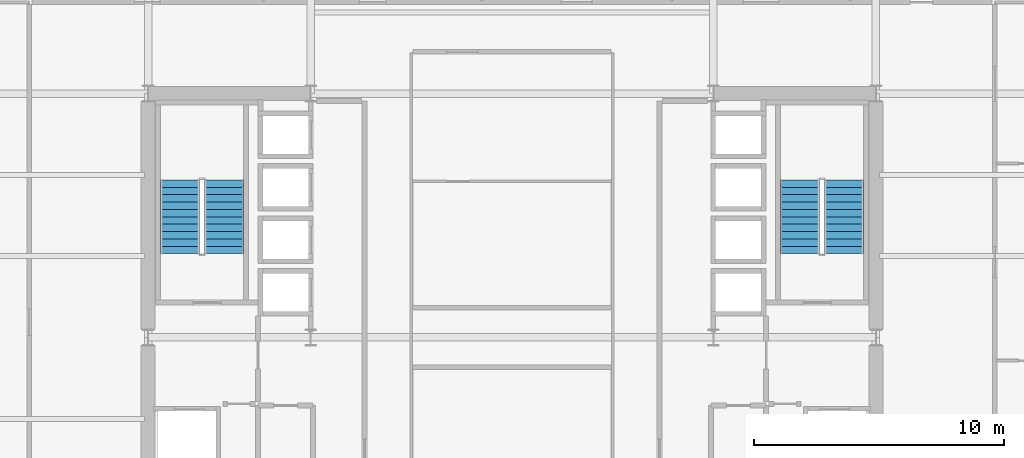
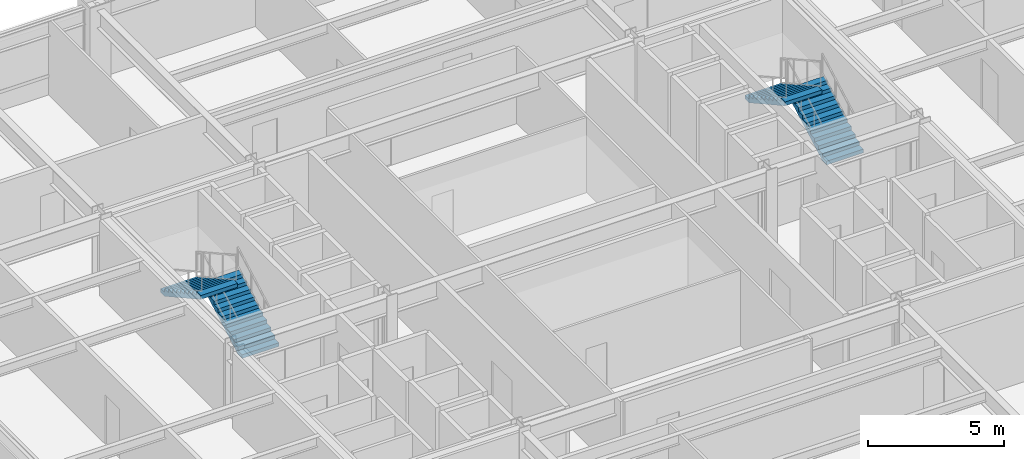
# One storey, part 26 of 28: 4 stair flights, 2 elements without a shape of their own.
"""IFC4 building model written with IfcOpenShell, lengths in metres."""

from ifc_helpers import new_model, si_unit, direction, frame, origin, place, context, subcontext, project, spatial, polyline, outline, extrude, material, type_object, element, aggregate, save


model = new_model("IFC4")

# Units and contexts
model_context = context("Model", 3, precision=1e-05, world=origin(), true_north=direction((0.0, 1.0)))
body_context = subcontext(model_context, "Body", "Model", "MODEL_VIEW")
ifc_project = project(units=[si_unit("LENGTHUNIT", "METRE"), si_unit("AREAUNIT", "SQUARE_METRE"), si_unit("VOLUMEUNIT", "CUBIC_METRE"), si_unit("PLANEANGLEUNIT", "RADIAN"), si_unit("MASSUNIT", "GRAM", prefix="KILO")], contexts=[model_context])

# Site, building, storey
site_placement = place(None, origin())
site = spatial("IfcSite", under=ifc_project, at=site_placement, CompositionType="ELEMENT")
building_placement = place(site_placement, origin())
building = spatial("IfcBuilding", under=site, at=building_placement, Name="Brelmoor Portico Tower", CompositionType="ELEMENT")
storey_placement = place(building_placement, frame((0.0, 0.0, 70.800048828125)))
storey = spatial("IfcBuildingStorey", under=building, at=storey_placement, Name="L18", CompositionType="ELEMENT", Elevation=70.800048828125)

# Stair, stair flights
ifc_material = material(Name="Concrete C40", Category="concrete")
stair_type_1 = type_object("IfcStairType", Name="ST-CORE-W", PredefinedType="HALF_TURN_STAIR", material=ifc_material)
stair_1_placement = place(storey_placement, origin())
stair_1 = element("IfcStair", 1, at=stair_1_placement, inside=storey, type_object=stair_type_1, Name="L18 Protected Core Exit Stair ST-W", PredefinedType="HALF_TURN_STAIR")
stair_flight_type = type_object("IfcStairFlightType", Name="SF-CORE-1850", PredefinedType="STRAIGHT", material=ifc_material)
stair_flight_1_placement = place(storey_placement, frame((-11.510009765625, 3.35009765625, 0.0), z_axis=(0.0, 0.0, 1.0), x_axis=(0.0, 1.0, 0.0)))
stair_flight_1 = element("IfcStairFlight", 2, at=stair_flight_1_placement, type_object=stair_flight_type, Name="ST-W flight 1", NumberOfRisers=11, NumberOfTreads=10, PredefinedType="STRAIGHT", RiserHeight=0.163636364, TreadLength=0.295, context=body_context, shape_type="SweptSolid", body=[
    extrude(outline(polyline([(0.0, 0.0), (0.0, 0.16357421875), (0.294921875, 0.16357421875), (0.294921875, 0.327392578125), (0.590087890625, 0.327392578125), (0.590087890625, 0.490966796875), (0.885009765625, 0.490966796875), (0.885009765625, 0.654541015625), (1.179931640625, 0.654541015625), (1.179931640625, 0.818115234375), (1.47509765625, 0.818115234375), (1.47509765625, 0.98193359375), (1.77001953125, 0.98193359375), (1.77001953125, 1.1455078125), (2.06494140625, 1.1455078125), (2.06494140625, 1.30908203125), (2.360107421875, 1.30908203125), (2.360107421875, 1.47265625), (2.655029296875, 1.47265625), (2.655029296875, 1.636474609375), (2.949951171875, 1.636474609375), (2.949951171875, 1.800048828125), (2.949951171875, 1.46484375), (0.30908203125, 0.0), (0.0, 0.0)])), frame((0.0, 0.780029296875, 0.0), z_axis=(0.0, -1.0, 0.0), x_axis=(1.0, 0.0, 0.0)), (0.0, 0.0, 1.0), 1.56005859375),
])
stair_flight_2_placement = place(storey_placement, frame((-13.27001953125, 6.300048828125, 1.800048828125), z_axis=(0.0, 0.0, 1.0), x_axis=(0.0, -1.0, 0.0)))
stair_flight_2 = element("IfcStairFlight", 3, at=stair_flight_2_placement, type_object=stair_flight_type, Name="ST-W flight 2", NumberOfRisers=11, NumberOfTreads=10, PredefinedType="STRAIGHT", RiserHeight=0.163636364, TreadLength=0.295, context=body_context, shape_type="SweptSolid", body=[
    extrude(outline(polyline([(0.0, 0.0), (0.0, 0.16357421875), (0.294921875, 0.16357421875), (0.294921875, 0.327392578125), (0.590087890625, 0.327392578125), (0.590087890625, 0.490966796875), (0.885009765625, 0.490966796875), (0.885009765625, 0.654541015625), (1.179931640625, 0.654541015625), (1.179931640625, 0.818115234375), (1.47509765625, 0.818115234375), (1.47509765625, 0.98193359375), (1.77001953125, 0.98193359375), (1.77001953125, 1.1455078125), (2.06494140625, 1.1455078125), (2.06494140625, 1.30908203125), (2.360107421875, 1.30908203125), (2.360107421875, 1.47265625), (2.655029296875, 1.47265625), (2.655029296875, 1.636474609375), (2.949951171875, 1.636474609375), (2.949951171875, 1.800048828125), (2.949951171875, 1.46484375), (0.30908203125, 0.0), (0.0, 0.0)])), frame((0.0, 0.780029296875, 0.0), z_axis=(0.0, -1.0, 0.0), x_axis=(1.0, 0.0, 0.0)), (0.0, 0.0, 1.0), 1.56005859375),
])
aggregate(stair_1, [stair_flight_1, stair_flight_2])

stair_type_2 = type_object("IfcStairType", Name="ST-CORE-E", PredefinedType="HALF_TURN_STAIR", material=ifc_material)
stair_2_placement = place(storey_placement, origin())
stair_2 = element("IfcStair", 4, at=stair_2_placement, inside=storey, type_object=stair_type_2, Name="L18 Protected Core Exit Stair ST-E", PredefinedType="HALF_TURN_STAIR")
stair_flight_3_placement = place(storey_placement, frame((13.27001953125, 3.35009765625, 0.0), z_axis=(0.0, 0.0, 1.0), x_axis=(0.0, 1.0, 0.0)))
stair_flight_3 = element("IfcStairFlight", 5, at=stair_flight_3_placement, type_object=stair_flight_type, Name="ST-E flight 1", NumberOfRisers=11, NumberOfTreads=10, PredefinedType="STRAIGHT", RiserHeight=0.163636364, TreadLength=0.295, context=body_context, shape_type="SweptSolid", body=[
    extrude(outline(polyline([(0.0, 0.0), (0.0, 0.16357421875), (0.294921875, 0.16357421875), (0.294921875, 0.327392578125), (0.590087890625, 0.327392578125), (0.590087890625, 0.490966796875), (0.885009765625, 0.490966796875), (0.885009765625, 0.654541015625), (1.179931640625, 0.654541015625), (1.179931640625, 0.818115234375), (1.47509765625, 0.818115234375), (1.47509765625, 0.98193359375), (1.77001953125, 0.98193359375), (1.77001953125, 1.1455078125), (2.06494140625, 1.1455078125), (2.06494140625, 1.30908203125), (2.360107421875, 1.30908203125), (2.360107421875, 1.47265625), (2.655029296875, 1.47265625), (2.655029296875, 1.636474609375), (2.949951171875, 1.636474609375), (2.949951171875, 1.800048828125), (2.949951171875, 1.46484375), (0.30908203125, 0.0), (0.0, 0.0)])), frame((0.0, 0.780029296875, 0.0), z_axis=(0.0, -1.0, 0.0), x_axis=(1.0, 0.0, 0.0)), (0.0, 0.0, 1.0), 1.56005859375),
])
stair_flight_4_placement = place(storey_placement, frame((11.510009765625, 6.300048828125, 1.800048828125), z_axis=(0.0, 0.0, 1.0), x_axis=(0.0, -1.0, 0.0)))
stair_flight_4 = element("IfcStairFlight", 6, at=stair_flight_4_placement, type_object=stair_flight_type, Name="ST-E flight 2", NumberOfRisers=11, NumberOfTreads=10, PredefinedType="STRAIGHT", RiserHeight=0.163636364, TreadLength=0.295, context=body_context, shape_type="SweptSolid", body=[
    extrude(outline(polyline([(0.0, 0.0), (0.0, 0.16357421875), (0.294921875, 0.16357421875), (0.294921875, 0.327392578125), (0.590087890625, 0.327392578125), (0.590087890625, 0.490966796875), (0.885009765625, 0.490966796875), (0.885009765625, 0.654541015625), (1.179931640625, 0.654541015625), (1.179931640625, 0.818115234375), (1.47509765625, 0.818115234375), (1.47509765625, 0.98193359375), (1.77001953125, 0.98193359375), (1.77001953125, 1.1455078125), (2.06494140625, 1.1455078125), (2.06494140625, 1.30908203125), (2.360107421875, 1.30908203125), (2.360107421875, 1.47265625), (2.655029296875, 1.47265625), (2.655029296875, 1.636474609375), (2.949951171875, 1.636474609375), (2.949951171875, 1.800048828125), (2.949951171875, 1.46484375), (0.30908203125, 0.0), (0.0, 0.0)])), frame((0.0, 0.780029296875, 0.0), z_axis=(0.0, -1.0, 0.0), x_axis=(1.0, 0.0, 0.0)), (0.0, 0.0, 1.0), 1.56005859375),
])
aggregate(stair_2, [stair_flight_3, stair_flight_4])

save(model, "model.ifc")
